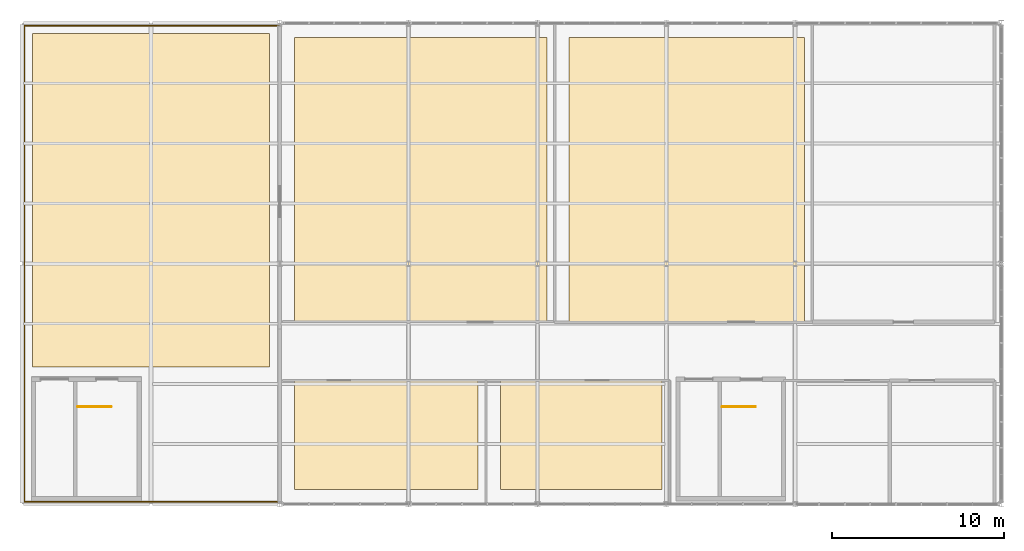
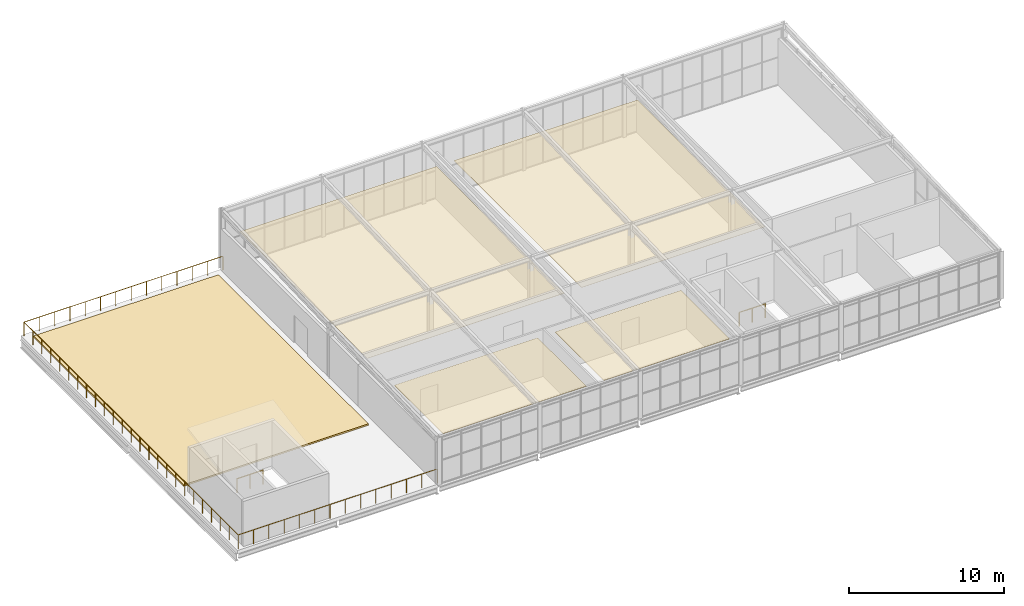
# One storey, part 27 of 27: 5 coverings, 3 railings.
"""IFC4 building model written with IfcOpenShell, lengths in metres."""

from ifc_helpers import new_model, si_unit, direction, frame, origin, origin_2d, place, context, subcontext, project, spatial, polyline, circle, outline, extrude, material, layer, layer_set, type_object, element, save


model = new_model("IFC4")

# Units and contexts
model_context = context("Model", 3, precision=1e-05, world=origin(), true_north=direction((0.0, 1.0)))
body_context = subcontext(model_context, "Body", "Model", "MODEL_VIEW")
ifc_project = project(units=[si_unit("LENGTHUNIT", "METRE"), si_unit("AREAUNIT", "SQUARE_METRE"), si_unit("VOLUMEUNIT", "CUBIC_METRE"), si_unit("PLANEANGLEUNIT", "RADIAN"), si_unit("MASSUNIT", "GRAM", prefix="KILO")], contexts=[model_context])

# Site, building, storey
site_placement = place(None, origin())
site = spatial("IfcSite", under=ifc_project, at=site_placement, CompositionType="ELEMENT")
building_placement = place(site_placement, origin())
building = spatial("IfcBuilding", under=site, at=building_placement, Name="Solvenia Promenade Tram Depot", CompositionType="ELEMENT")
storey_placement = place(building_placement, frame((0.0, 0.0, 13.5)))
storey = spatial("IfcBuildingStorey", under=building, at=storey_placement, Name="L03", CompositionType="ELEMENT", Elevation=13.5)

# Coverings
ifc_material_1 = material(Name="Mineral-fibre acoustic ceiling tile", Category="other")
ifc_layer_1 = layer(ifc_material_1, 0.02001953125, Name="Mineral-fibre acoustic ceiling tile", Category="other")
ifc_layer_set_1 = layer_set([ifc_layer_1], Name="Mineral-fibre acoustic ceiling tile")
covering_type_1 = type_object("IfcCoveringType", Name="Ceiling-Acoustic-20", PredefinedType="CEILING", material=ifc_layer_set_1)
covering_1_placement = place(storey_placement, frame((0.0, 0.0, 3.14990234375)))
element("IfcCovering", 1, at=covering_1_placement, inside=storey, type_object=covering_type_1, Name="Incident Command Suite Acoustic Ceiling", PredefinedType="CEILING", context=body_context, shape_type="SweptSolid", body=[
    extrude(outline(polyline([(120.85009765625, 38.85009765625), (131.550048828125, 38.85009765625), (131.550048828125, 45.159912109375), (120.85009765625, 45.159912109375), (120.85009765625, 38.85009765625)])), origin(), (0.0, 0.0, 1.0), 0.02001953125),
])
covering_2_placement = place(storey_placement, frame((0.0, 0.0, 3.14990234375)))
element("IfcCovering", 2, at=covering_2_placement, inside=storey, type_object=covering_type_1, Name="Network Telemetry Office Acoustic Ceiling", PredefinedType="CEILING", context=body_context, shape_type="SweptSolid", body=[
    extrude(outline(polyline([(132.85009765625, 38.85009765625), (142.25, 38.85009765625), (142.25, 45.159912109375), (132.85009765625, 45.159912109375), (132.85009765625, 38.85009765625)])), origin(), (0.0, 0.0, 1.0), 0.02001953125),
])
covering_3_placement = place(storey_placement, frame((0.0, 0.0, 3.14990234375)))
element("IfcCovering", 3, at=covering_3_placement, inside=storey, type_object=covering_type_1, Name="Operations Control Room Acoustic Ceiling", PredefinedType="CEILING", context=body_context, shape_type="SweptSolid", body=[
    extrude(outline(polyline([(120.85009765625, 48.639892578125), (135.550048828125, 48.639892578125), (135.550048828125, 65.14990234375), (120.85009765625, 65.14990234375), (120.85009765625, 48.639892578125)])), origin(), (0.0, 0.0, 1.0), 0.02001953125),
])
covering_4_placement = place(storey_placement, frame((0.0, 0.0, 3.14990234375)))
element("IfcCovering", 4, at=covering_4_placement, inside=storey, type_object=covering_type_1, Name="Tram Simulator Hall Acoustic Ceiling", PredefinedType="CEILING", context=body_context, shape_type="SweptSolid", body=[
    extrude(outline(polyline([(136.85009765625, 48.639892578125), (150.550048828125, 48.639892578125), (150.550048828125, 65.14990234375), (136.85009765625, 65.14990234375), (136.85009765625, 48.639892578125)])), origin(), (0.0, 0.0, 1.0), 0.02001953125),
])

# Railings
ifc_material_2 = material(Name="Anodized aluminium AW-6063 T6", Category="aluminium")
railing_type_1 = type_object("IfcRailingType", Name="Guard-Stair-1100", PredefinedType="GUARDRAIL", material=ifc_material_2)
for number, where, name in (
    (5, (108.25, 43.669921875, 0.0), "Top Stairwell Guard C5"),
    (6, (145.75, 43.669921875, 0.0), "Top Stairwell Guard C6"),
):
    element("IfcRailing", number, at=place(storey_placement, frame(where)), inside=storey, type_object=railing_type_1, Name=name, PredefinedType="GUARDRAIL", context=body_context, shape_type="SweptSolid", body=[
        extrude(circle(Radius=0.02392578125, at=origin_2d()), frame((0.0, 0.0, 1.09619140625), z_axis=(1.0, 0.0, 0.0), x_axis=(0.0, 1.0, 0.0)), (0.0, 0.0, 1.0), 1.93994140625),
        extrude(circle(Radius=0.02099609375, at=origin_2d()), origin(), (0.0, 0.0, 1.0), 1.072021484375),
        extrude(circle(Radius=0.02099609375, at=origin_2d()), frame((0.969970703125, 0.0, 0.0)), (0.0, 0.0, 1.0), 1.072021484375),
        extrude(circle(Radius=0.02099609375, at=origin_2d()), frame((1.93994140625, 0.0, 0.0)), (0.0, 0.0, 1.0), 1.072021484375),
    ])
railing_type_2 = type_object("IfcRailingType", Name="Guard-Terrace-1100", PredefinedType="GUARDRAIL", material=ifc_material_2)
railing_placement = place(storey_placement, frame((120.0, 65.85009765625, 0.0)))
element("IfcRailing", 7, at=railing_placement, inside=storey, type_object=railing_type_2, Name="Safety Guardrail GR-TERR-L03-V2", PredefinedType="GUARDRAIL", context=body_context, shape_type="SweptSolid", body=[
    extrude(circle(Radius=0.02392578125, at=origin_2d()), frame((0.0, 0.0, 1.09619140625), z_axis=(-1.0, 0.0, 0.0), x_axis=(0.0, -1.0, 0.0)), (0.0, 0.0, 1.0), 14.85009765625),
    extrude(circle(Radius=0.02392578125, at=origin_2d()), frame((-14.85009765625, 0.0, 1.09619140625), z_axis=(0.0, -1.0, 0.0), x_axis=(1.0, 0.0, 0.0)), (0.0, 0.0, 1.0), 27.7001953125),
    extrude(circle(Radius=0.02392578125, at=origin_2d()), frame((-14.85009765625, -27.7001953125, 1.09619140625), z_axis=(1.0, 0.0, 0.0), x_axis=(0.0, 1.0, 0.0)), (0.0, 0.0, 1.0), 14.85009765625),
    extrude(circle(Radius=0.02099609375, at=origin_2d()), origin(), (0.0, 0.0, 1.0), 1.072021484375),
    extrude(circle(Radius=0.02099609375, at=origin_2d()), frame((-1.142333984375, 0.0, 0.0)), (0.0, 0.0, 1.0), 1.072021484375),
    extrude(circle(Radius=0.02099609375, at=origin_2d()), frame((-2.28466796875, 0.0, 0.0)), (0.0, 0.0, 1.0), 1.072021484375),
    extrude(circle(Radius=0.02099609375, at=origin_2d()), frame((-3.427001953125, 0.0, 0.0)), (0.0, 0.0, 1.0), 1.072021484375),
    extrude(circle(Radius=0.02099609375, at=origin_2d()), frame((-4.5693359375, 0.0, 0.0)), (0.0, 0.0, 1.0), 1.072021484375),
    extrude(circle(Radius=0.02099609375, at=origin_2d()), frame((-5.711669921875, 0.0, 0.0)), (0.0, 0.0, 1.0), 1.072021484375),
    extrude(circle(Radius=0.02099609375, at=origin_2d()), frame((-6.85400390625, 0.0, 0.0)), (0.0, 0.0, 1.0), 1.072021484375),
    extrude(circle(Radius=0.02099609375, at=origin_2d()), frame((-7.99609375, 0.0, 0.0)), (0.0, 0.0, 1.0), 1.072021484375),
    extrude(circle(Radius=0.02099609375, at=origin_2d()), frame((-9.138427734375, 0.0, 0.0)), (0.0, 0.0, 1.0), 1.072021484375),
    extrude(circle(Radius=0.02099609375, at=origin_2d()), frame((-10.28076171875, 0.0, 0.0)), (0.0, 0.0, 1.0), 1.072021484375),
    extrude(circle(Radius=0.02099609375, at=origin_2d()), frame((-11.423095703125, 0.0, 0.0)), (0.0, 0.0, 1.0), 1.072021484375),
    extrude(circle(Radius=0.02099609375, at=origin_2d()), frame((-12.5654296875, 0.0, 0.0)), (0.0, 0.0, 1.0), 1.072021484375),
    extrude(circle(Radius=0.02099609375, at=origin_2d()), frame((-13.707763671875, 0.0, 0.0)), (0.0, 0.0, 1.0), 1.072021484375),
    extrude(circle(Radius=0.02099609375, at=origin_2d()), frame((-14.85009765625, 0.0, 0.0)), (0.0, 0.0, 1.0), 1.072021484375),
    extrude(circle(Radius=0.02099609375, at=origin_2d()), frame((-14.85009765625, -1.154296875, 0.0)), (0.0, 0.0, 1.0), 1.072021484375),
    extrude(circle(Radius=0.02099609375, at=origin_2d()), frame((-14.85009765625, -2.308349609375, 0.0)), (0.0, 0.0, 1.0), 1.072021484375),
    extrude(circle(Radius=0.02099609375, at=origin_2d()), frame((-14.85009765625, -3.46240234375, 0.0)), (0.0, 0.0, 1.0), 1.072021484375),
    extrude(circle(Radius=0.02099609375, at=origin_2d()), frame((-14.85009765625, -4.61669921875, 0.0)), (0.0, 0.0, 1.0), 1.072021484375),
    extrude(circle(Radius=0.02099609375, at=origin_2d()), frame((-14.85009765625, -5.77099609375, 0.0)), (0.0, 0.0, 1.0), 1.072021484375),
    extrude(circle(Radius=0.02099609375, at=origin_2d()), frame((-14.85009765625, -6.925048828125, 0.0)), (0.0, 0.0, 1.0), 1.072021484375),
    extrude(circle(Radius=0.02099609375, at=origin_2d()), frame((-14.85009765625, -8.0791015625, 0.0)), (0.0, 0.0, 1.0), 1.072021484375),
    extrude(circle(Radius=0.02099609375, at=origin_2d()), frame((-14.85009765625, -9.2333984375, 0.0)), (0.0, 0.0, 1.0), 1.072021484375),
    extrude(circle(Radius=0.02099609375, at=origin_2d()), frame((-14.85009765625, -10.3876953125, 0.0)), (0.0, 0.0, 1.0), 1.072021484375),
    extrude(circle(Radius=0.02099609375, at=origin_2d()), frame((-14.85009765625, -11.541748046875, 0.0)), (0.0, 0.0, 1.0), 1.072021484375),
    extrude(circle(Radius=0.02099609375, at=origin_2d()), frame((-14.85009765625, -12.69580078125, 0.0)), (0.0, 0.0, 1.0), 1.072021484375),
    extrude(circle(Radius=0.02099609375, at=origin_2d()), frame((-14.85009765625, -13.85009765625, 0.0)), (0.0, 0.0, 1.0), 1.072021484375),
    extrude(circle(Radius=0.02099609375, at=origin_2d()), frame((-14.85009765625, -15.004150390625, 0.0)), (0.0, 0.0, 1.0), 1.072021484375),
    extrude(circle(Radius=0.02099609375, at=origin_2d()), frame((-14.85009765625, -16.158447265625, 0.0)), (0.0, 0.0, 1.0), 1.072021484375),
    extrude(circle(Radius=0.02099609375, at=origin_2d()), frame((-14.85009765625, -17.3125, 0.0)), (0.0, 0.0, 1.0), 1.072021484375),
    extrude(circle(Radius=0.02099609375, at=origin_2d()), frame((-14.85009765625, -18.466796875, 0.0)), (0.0, 0.0, 1.0), 1.072021484375),
    extrude(circle(Radius=0.02099609375, at=origin_2d()), frame((-14.85009765625, -19.62109375, 0.0)), (0.0, 0.0, 1.0), 1.072021484375),
    extrude(circle(Radius=0.02099609375, at=origin_2d()), frame((-14.85009765625, -20.775146484375, 0.0)), (0.0, 0.0, 1.0), 1.072021484375),
    extrude(circle(Radius=0.02099609375, at=origin_2d()), frame((-14.85009765625, -21.92919921875, 0.0)), (0.0, 0.0, 1.0), 1.072021484375),
    extrude(circle(Radius=0.02099609375, at=origin_2d()), frame((-14.85009765625, -23.08349609375, 0.0)), (0.0, 0.0, 1.0), 1.072021484375),
    extrude(circle(Radius=0.02099609375, at=origin_2d()), frame((-14.85009765625, -24.23779296875, 0.0)), (0.0, 0.0, 1.0), 1.072021484375),
    extrude(circle(Radius=0.02099609375, at=origin_2d()), frame((-14.85009765625, -25.391845703125, 0.0)), (0.0, 0.0, 1.0), 1.072021484375),
    extrude(circle(Radius=0.02099609375, at=origin_2d()), frame((-14.85009765625, -26.5458984375, 0.0)), (0.0, 0.0, 1.0), 1.072021484375),
    extrude(circle(Radius=0.02099609375, at=origin_2d()), frame((-14.85009765625, -27.7001953125, 0.0)), (0.0, 0.0, 1.0), 1.072021484375),
    extrude(circle(Radius=0.02099609375, at=origin_2d()), frame((-13.707763671875, -27.7001953125, 0.0)), (0.0, 0.0, 1.0), 1.072021484375),
    extrude(circle(Radius=0.02099609375, at=origin_2d()), frame((-12.5654296875, -27.7001953125, 0.0)), (0.0, 0.0, 1.0), 1.072021484375),
    extrude(circle(Radius=0.02099609375, at=origin_2d()), frame((-11.423095703125, -27.7001953125, 0.0)), (0.0, 0.0, 1.0), 1.072021484375),
    extrude(circle(Radius=0.02099609375, at=origin_2d()), frame((-10.28076171875, -27.7001953125, 0.0)), (0.0, 0.0, 1.0), 1.072021484375),
    extrude(circle(Radius=0.02099609375, at=origin_2d()), frame((-9.138427734375, -27.7001953125, 0.0)), (0.0, 0.0, 1.0), 1.072021484375),
    extrude(circle(Radius=0.02099609375, at=origin_2d()), frame((-7.99609375, -27.7001953125, 0.0)), (0.0, 0.0, 1.0), 1.072021484375),
    extrude(circle(Radius=0.02099609375, at=origin_2d()), frame((-6.85400390625, -27.7001953125, 0.0)), (0.0, 0.0, 1.0), 1.072021484375),
    extrude(circle(Radius=0.02099609375, at=origin_2d()), frame((-5.711669921875, -27.7001953125, 0.0)), (0.0, 0.0, 1.0), 1.072021484375),
    extrude(circle(Radius=0.02099609375, at=origin_2d()), frame((-4.5693359375, -27.7001953125, 0.0)), (0.0, 0.0, 1.0), 1.072021484375),
    extrude(circle(Radius=0.02099609375, at=origin_2d()), frame((-3.427001953125, -27.7001953125, 0.0)), (0.0, 0.0, 1.0), 1.072021484375),
    extrude(circle(Radius=0.02099609375, at=origin_2d()), frame((-2.28466796875, -27.7001953125, 0.0)), (0.0, 0.0, 1.0), 1.072021484375),
    extrude(circle(Radius=0.02099609375, at=origin_2d()), frame((-1.142333984375, -27.7001953125, 0.0)), (0.0, 0.0, 1.0), 1.072021484375),
    extrude(circle(Radius=0.02099609375, at=origin_2d()), frame((0.0, -27.7001953125, 0.0)), (0.0, 0.0, 1.0), 1.072021484375),
])

# Covering
ifc_material_3 = material(Name="Planted highland SUDS green roof substrate", Category="other")
ifc_layer_2 = layer(ifc_material_3, 0.1201171875, Name="Planted highland SUDS green roof substrate", Category="other")
ifc_layer_set_2 = layer_set([ifc_layer_2], Name="Planted highland SUDS green roof substrate")
covering_type_2 = type_object("IfcCoveringType", Name="Roofing-Green-120", PredefinedType="ROOFING", material=ifc_layer_set_2)
covering_5_placement = place(storey_placement, origin())
element("IfcCovering", 8, at=covering_5_placement, inside=storey, type_object=covering_type_2, Name="Planted SUDS Substrate 03", PredefinedType="ROOFING", context=body_context, shape_type="SweptSolid", body=[
    extrude(outline(polyline([(105.60009765625, 46.0), (119.39990234375, 46.0), (119.39990234375, 65.39990234375), (105.60009765625, 65.39990234375), (105.60009765625, 46.0)])), origin(), (0.0, 0.0, 1.0), 0.1201171875),
])

save(model, "model.ifc")
